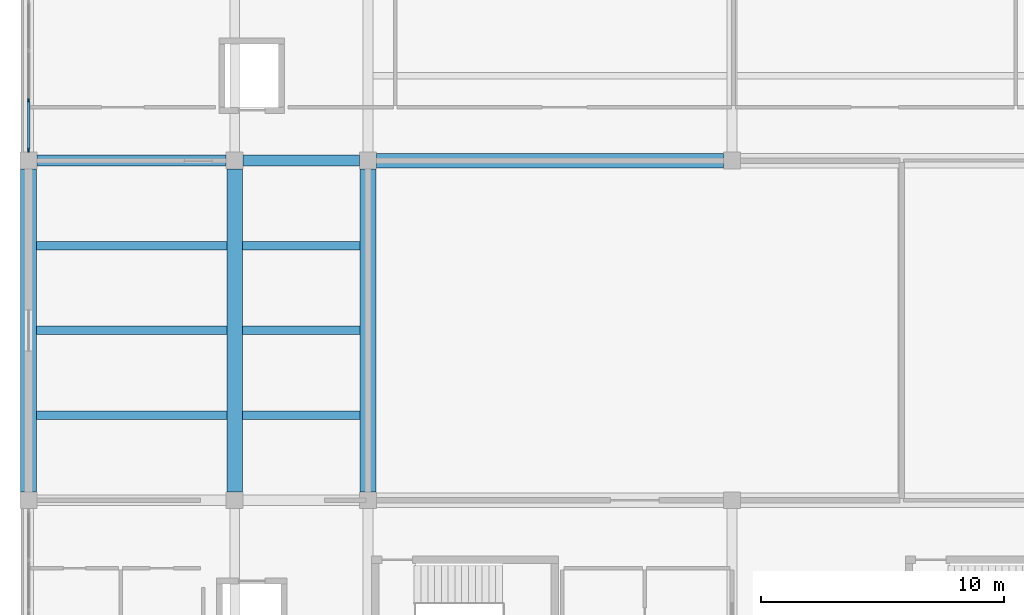
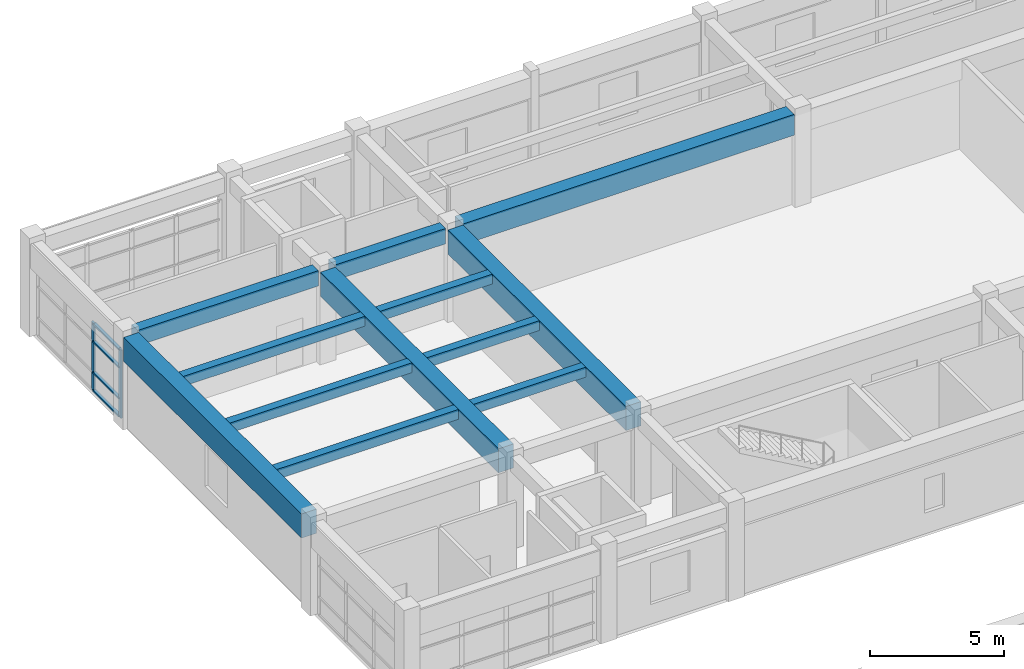
# One storey, part 12 of 70: 12 beams, 6 members, 1 element without a shape of its own.
"""IFC4 building model written with IfcOpenShell, lengths in metres."""

from ifc_helpers import new_model, si_unit, direction, frame, origin, origin_2d, place, context, subcontext, project, spatial, rectangle, extrude, material, layer, layer_set, material_profile, profile_set, type_object, element, aggregate, save


model = new_model("IFC4")

# Units and contexts
model_context = context("Model", 3, precision=1e-05, world=origin(), true_north=direction((0.0, 1.0)))
body_context = subcontext(model_context, "Body", "Model", "MODEL_VIEW")
ifc_project = project(units=[si_unit("LENGTHUNIT", "METRE"), si_unit("AREAUNIT", "SQUARE_METRE"), si_unit("VOLUMEUNIT", "CUBIC_METRE"), si_unit("PLANEANGLEUNIT", "RADIAN"), si_unit("MASSUNIT", "GRAM", prefix="KILO")], contexts=[model_context])

# Site, building, storey
site_placement = place(None, origin())
site = spatial("IfcSite", under=ifc_project, at=site_placement, CompositionType="ELEMENT")
building_placement = place(site_placement, origin())
building = spatial("IfcBuilding", under=site, at=building_placement, Name="Naurynzar Civic Courthouse", CompositionType="ELEMENT")
storey_placement = place(building_placement, frame((0.0, 0.0, 5.39990234375)))
storey = spatial("IfcBuildingStorey", under=building, at=storey_placement, Name="L02", CompositionType="ELEMENT", Elevation=5.39990234375)

# Beams
ifc_material_1 = material(Name="Concrete C40/50", Category="concrete")
ifc_material_profile_1 = material_profile(ifc_material_1, rectangle(XDim=0.60009765625, YDim=0.949951171875, at=origin_2d()), Name="PTB 600x950")
ifc_profile_set_1 = profile_set([ifc_material_profile_1], Name="Concrete C40/50")
beam_type_1 = type_object("IfcBeamType", Name="BM-PT-600x950", PredefinedType="T_BEAM", material=ifc_profile_set_1)
beam_1_placement = place(storey_placement, frame((20.35009765625, 65.0, 3.755126953125), z_axis=(1.0, 0.0, 0.0), x_axis=(0.0, 1.0, 0.0)))
element("IfcBeam", 1, at=beam_1_placement, inside=storey, type_object=beam_type_1, Name="V1 beam X-127 L02", PredefinedType="T_BEAM", context=body_context, shape_type="SweptSolid", body=[
    extrude(rectangle(XDim=0.60009765625, YDim=0.949951171875, at=origin_2d()), origin(), (0.0, 0.0, 1.0), 14.2998046875),
])
ifc_material_2 = material(Name="Concrete C40/50", Category="concrete")
ifc_material_profile_2 = material_profile(ifc_material_2, rectangle(XDim=0.64990234375, YDim=1.10009765625, at=origin_2d()), Name="PTB 650x1100")
ifc_profile_set_2 = profile_set([ifc_material_profile_2], Name="Concrete C40/50")
beam_type_2 = type_object("IfcBeamType", Name="BM-PT-650x1100", PredefinedType="T_BEAM", material=ifc_profile_set_2)
for number, where, z_axis, x_axis, name in (
    (2, (6.0, 51.35009765625, 3.68017578125), (0.0, 1.0, 0.0), (-1.0, 0.0, 0.0), "V1 girder Y-136 L02"),
    (3, (14.5, 51.35009765625, 3.68017578125), (0.0, 1.0, 0.0), (-1.0, 0.0, 0.0), "V1 girder Y-139 L02"),
    (4, (20.0, 51.35009765625, 3.68017578125), (0.0, 1.0, 0.0), (-1.0, 0.0, 0.0), "V1 girder Y-142 L02"),
):
    element("IfcBeam", number, at=place(storey_placement, frame(where, z_axis=z_axis, x_axis=x_axis)), inside=storey, type_object=beam_type_2, Name=name, PredefinedType="T_BEAM", context=body_context, shape_type="SweptSolid", body=[
        extrude(rectangle(XDim=0.64990234375, YDim=1.10009765625, at=origin_2d()), origin(), (0.0, 0.0, 1.0), 13.2998046875),
    ])
ifc_material_3 = material(Name="Concrete C40/50", Category="concrete")
ifc_material_profile_3 = material_profile(ifc_material_3, rectangle(XDim=0.35009765625, YDim=0.449951171875, at=origin_2d()), Name="RCB 350x450")
ifc_profile_set_3 = profile_set([ifc_material_profile_3], Name="Concrete C40/50")
beam_type_3 = type_object("IfcBeamType", Name="BM-RC-350x450", PredefinedType="BEAM", material=ifc_profile_set_3)
for number, where, z_axis, x_axis, name in (
    (5, (6.324951171875, 54.5, 4.005126953125), (1.0, 0.0, 0.0), (0.0, 1.0, 0.0), "V1 secondary rib 153 L02"),
    (6, (6.324951171875, 58.0, 4.005126953125), (1.0, 0.0, 0.0), (0.0, 1.0, 0.0), "V1 secondary rib 154 L02"),
    (7, (6.324951171875, 61.5, 4.005126953125), (1.0, 0.0, 0.0), (0.0, 1.0, 0.0), "V1 secondary rib 155 L02"),
):
    element("IfcBeam", number, at=place(storey_placement, frame(where, z_axis=z_axis, x_axis=x_axis)), inside=storey, type_object=beam_type_3, Name=name, PredefinedType="BEAM", context=body_context, shape_type="SweptSolid", body=[
        extrude(rectangle(XDim=0.35009765625, YDim=0.449951171875, at=origin_2d()), origin(), (0.0, 0.0, 1.0), 7.85009765625),
    ])
for number, where, z_axis, x_axis, name in (
    (8, (14.824951171875, 54.5, 4.005126953125), (1.0, 0.0, 0.0), (0.0, 1.0, 0.0), "V1 secondary rib 156 L02"),
    (9, (14.824951171875, 58.0, 4.005126953125), (1.0, 0.0, 0.0), (0.0, 1.0, 0.0), "V1 secondary rib 157 L02"),
    (10, (14.824951171875, 61.5, 4.005126953125), (1.0, 0.0, 0.0), (0.0, 1.0, 0.0), "V1 secondary rib 158 L02"),
):
    element("IfcBeam", number, at=place(storey_placement, frame(where, z_axis=z_axis, x_axis=x_axis)), inside=storey, type_object=beam_type_3, Name=name, PredefinedType="BEAM", context=body_context, shape_type="SweptSolid", body=[
        extrude(rectangle(XDim=0.35009765625, YDim=0.449951171875, at=origin_2d()), origin(), (0.0, 0.0, 1.0), 4.85009765625),
    ])
ifc_material_4 = material(Name="Concrete C40/50", Category="concrete")
ifc_material_profile_4 = material_profile(ifc_material_4, rectangle(XDim=0.449951171875, YDim=0.699951171875, at=origin_2d()), Name="RCB 450x700")
ifc_profile_set_4 = profile_set([ifc_material_profile_4], Name="Concrete C40/50")
beam_type_4 = type_object("IfcBeamType", Name="BM-RC-450x700", PredefinedType="BEAM", material=ifc_profile_set_4)
beam_2_placement = place(storey_placement, frame((6.35009765625, 65.0, 3.880126953125), z_axis=(1.0, 0.0, 0.0), x_axis=(0.0, 1.0, 0.0)))
element("IfcBeam", 11, at=beam_2_placement, inside=storey, type_object=beam_type_4, Name="V1 beam X-125 L02", PredefinedType="BEAM", context=body_context, shape_type="SweptSolid", body=[
    extrude(rectangle(XDim=0.449951171875, YDim=0.699951171875, at=origin_2d()), origin(), (0.0, 0.0, 1.0), 7.7998046875),
])
beam_3_placement = place(storey_placement, frame((14.85009765625, 65.0, 3.880126953125), z_axis=(1.0, 0.0, 0.0), x_axis=(0.0, 1.0, 0.0)))
element("IfcBeam", 12, at=beam_3_placement, inside=storey, type_object=beam_type_4, Name="V1 beam X-126 L02", PredefinedType="BEAM", context=body_context, shape_type="SweptSolid", body=[
    extrude(rectangle(XDim=0.449951171875, YDim=0.699951171875, at=origin_2d()), origin(), (0.0, 0.0, 1.0), 4.7998046875),
])

# Curtain wall, members
ifc_material_5 = material(Name="Aluminium 6063-T6", Category="aluminium")
ifc_layer = layer(ifc_material_5, 0.159912109375)
ifc_layer_set = layer_set([ifc_layer], Name="CW-UNIT-1800")
curtain_wall_type = type_object("IfcCurtainWallType", Name="CW-UNIT-1800", PredefinedType="NOTDEFINED", material=ifc_layer_set)
curtain_wall_placement = place(storey_placement, origin())
curtain_wall = element("IfcCurtainWall", 13, at=curtain_wall_placement, inside=storey, type_object=curtain_wall_type, Name="V1 unitised curtain wall 2 L02", PredefinedType="NOTDEFINED")
ifc_material_6 = material(Name="Aluminium 6063-T6", Category="aluminium")
ifc_material_profile_5 = material_profile(ifc_material_6, rectangle(XDim=0.070068359375, YDim=0.179931640625, at=origin_2d()), Name="ALU MULLION 70x180")
ifc_profile_set_5 = profile_set([ifc_material_profile_5], Name="Aluminium 6063-T6")
member_type_1 = type_object("IfcMemberType", Name="CWM-70x180", PredefinedType="MULLION", material=ifc_profile_set_5)
member_1_placement = place(storey_placement, frame((6.0, 65.43505859375, 0.0), z_axis=(0.0, 0.0, 1.0), x_axis=(-1.0, 0.0, 0.0)))
member_1 = element("IfcMember", 14, at=member_1_placement, type_object=member_type_1, Name="CW-02 mullion 1", PredefinedType="MULLION", context=body_context, shape_type="SweptSolid", body=[
    extrude(rectangle(XDim=0.070068359375, YDim=0.179931640625, at=origin_2d()), origin(), (0.0, 0.0, 1.0), 3.110107421875),
])
member_2_placement = place(storey_placement, frame((6.0, 67.466552734375, 0.0), z_axis=(0.0, 0.0, 1.0), x_axis=(-1.0, 0.0, 0.0)))
member_2 = element("IfcMember", 15, at=member_2_placement, type_object=member_type_1, Name="CW-02 mullion 2", PredefinedType="MULLION", context=body_context, shape_type="SweptSolid", body=[
    extrude(rectangle(XDim=0.070068359375, YDim=0.179931640625, at=origin_2d()), origin(), (0.0, 0.0, 1.0), 3.110107421875),
])
ifc_material_7 = material(Name="Aluminium 6063-T6", Category="aluminium")
ifc_material_profile_6 = material_profile(ifc_material_7, rectangle(XDim=0.1298828125, YDim=0.070068359375, at=origin_2d()), Name="ALU TRANSOM 70x130")
ifc_profile_set_6 = profile_set([ifc_material_profile_6], Name="Aluminium 6063-T6")
member_type_2 = type_object("IfcMemberType", Name="CWT-70x130", PredefinedType="USERDEFINED", material=ifc_profile_set_6)
member_3_placement = place(storey_placement, frame((6.0, 65.469970703125, 0.03515625), z_axis=(0.0, 1.0, 0.0), x_axis=(-1.0, 0.0, 0.0)))
member_3 = element("IfcMember", 16, at=member_3_placement, type_object=member_type_2, Name="CW-02 transom 1.1", ObjectType="TRANSOM", PredefinedType="USERDEFINED", context=body_context, shape_type="SweptSolid", body=[
    extrude(rectangle(XDim=0.1298828125, YDim=0.070068359375, at=origin_2d()), origin(), (0.0, 0.0, 1.0), 1.961669921875),
])
member_4_placement = place(storey_placement, frame((6.0, 65.469970703125, 0.85009765625), z_axis=(0.0, 1.0, 0.0), x_axis=(-1.0, 0.0, 0.0)))
member_4 = element("IfcMember", 17, at=member_4_placement, type_object=member_type_2, Name="CW-02 transom 1.2", ObjectType="TRANSOM", PredefinedType="USERDEFINED", context=body_context, shape_type="SweptSolid", body=[
    extrude(rectangle(XDim=0.1298828125, YDim=0.070068359375, at=origin_2d()), origin(), (0.0, 0.0, 1.0), 1.961669921875),
])
member_5_placement = place(storey_placement, frame((6.0, 65.469970703125, 2.260009765625), z_axis=(0.0, 1.0, 0.0), x_axis=(-1.0, 0.0, 0.0)))
member_5 = element("IfcMember", 18, at=member_5_placement, type_object=member_type_2, Name="CW-02 transom 1.3", ObjectType="TRANSOM", PredefinedType="USERDEFINED", context=body_context, shape_type="SweptSolid", body=[
    extrude(rectangle(XDim=0.1298828125, YDim=0.070068359375, at=origin_2d()), origin(), (0.0, 0.0, 1.0), 1.961669921875),
])
member_6_placement = place(storey_placement, frame((6.0, 65.469970703125, 3.0751953125), z_axis=(0.0, 1.0, 0.0), x_axis=(-1.0, 0.0, 0.0)))
member_6 = element("IfcMember", 19, at=member_6_placement, type_object=member_type_2, Name="CW-02 transom 1.4", ObjectType="TRANSOM", PredefinedType="USERDEFINED", context=body_context, shape_type="SweptSolid", body=[
    extrude(rectangle(XDim=0.1298828125, YDim=0.070068359375, at=origin_2d()), origin(), (0.0, 0.0, 1.0), 1.961669921875),
])
aggregate(curtain_wall, [member_1, member_2, member_3, member_4, member_5, member_6])

save(model, "model.ifc")
